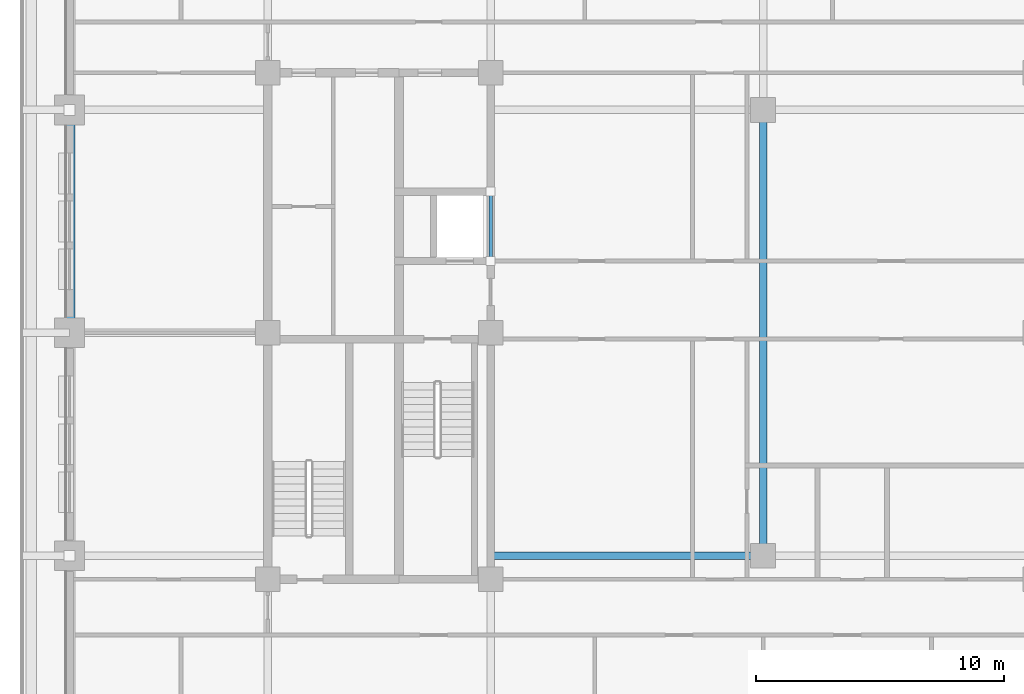
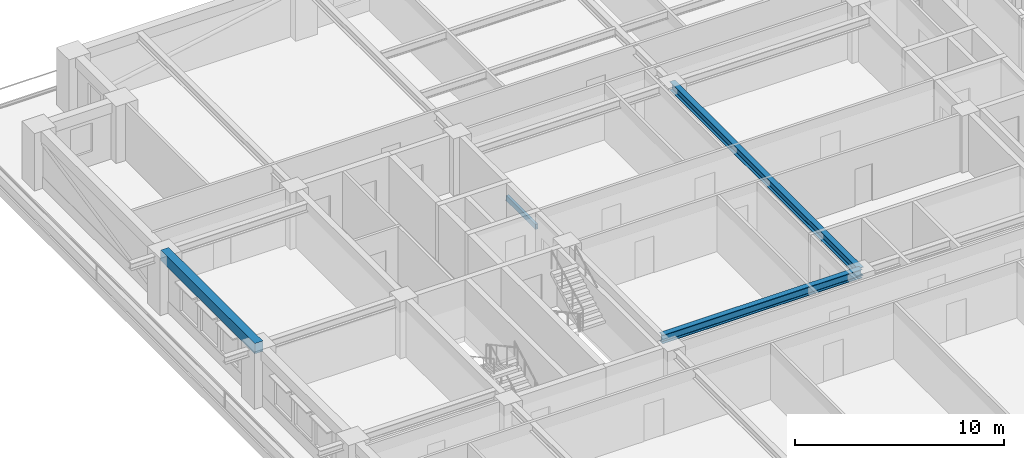
# One storey, part 3 of 20: 4 beams.
"""IFC4 building model written with IfcOpenShell, lengths in metres."""

from ifc_helpers import new_model, si_unit, direction, frame, origin, origin_2d, place, context, subcontext, project, spatial, rectangle, hollow_rectangle, i_section, extrude, material, material_profile, profile_set, type_object, element, save


model = new_model("IFC4")

# Units and contexts
model_context = context("Model", 3, precision=1e-05, world=origin(), true_north=direction((0.0, 1.0)))
body_context = subcontext(model_context, "Body", "Model", "MODEL_VIEW")
ifc_project = project(units=[si_unit("LENGTHUNIT", "METRE"), si_unit("AREAUNIT", "SQUARE_METRE"), si_unit("VOLUMEUNIT", "CUBIC_METRE"), si_unit("PLANEANGLEUNIT", "RADIAN"), si_unit("MASSUNIT", "GRAM", prefix="KILO")], contexts=[model_context])

# Site, building, storey
site_placement = place(None, origin())
site = spatial("IfcSite", under=ifc_project, at=site_placement, CompositionType="ELEMENT")
building_placement = place(site_placement, origin())
building = spatial("IfcBuilding", under=site, at=building_placement, Name="Zulmaris Gate Convention Tower", CompositionType="ELEMENT")
storey_placement = place(building_placement, frame((0.0, 0.0, 142.769775390625)))
storey = spatial("IfcBuildingStorey", under=building, at=storey_placement, Name="L36", CompositionType="ELEMENT", Elevation=142.769775390625)

# Beams
ifc_material_1 = material(Name="Steel S355", Category="steel")
ifc_material_profile_1 = material_profile(ifc_material_1, i_section(OverallWidth=0.300048828125, OverallDepth=0.5, WebThickness=0.014404296875, FlangeThickness=0.028076171875, FilletRadius=0.027099609375, at=origin_2d()), Name="HEB 500")
ifc_profile_set_1 = profile_set([ifc_material_profile_1], Name="Steel S355")
beam_type_1 = type_object("IfcBeamType", Name="BM-HEB500", PredefinedType="BEAM", material=ifc_profile_set_1)
beam_1_placement = place(storey_placement, frame((-11.0, -9.0, 3.068115234375), z_axis=(1.0, 0.0, 0.0), x_axis=(0.0, 1.0, 0.0)))
element("IfcBeam", 1, at=beam_1_placement, inside=storey, type_object=beam_type_1, Name="L36 Beam BM-L36-G01", PredefinedType="BEAM", context=body_context, shape_type="SweptSolid", body=[
    extrude(i_section(OverallWidth=0.300048828125, OverallDepth=0.5, WebThickness=0.014404296875, FlangeThickness=0.028076171875, FilletRadius=0.027099609375, at=origin_2d()), origin(), (0.0, 0.0, 1.0), 11.0),
])
beam_2_placement = place(storey_placement, frame((0.0, -9.0, 3.068115234375), z_axis=(0.0, 1.0, 0.0), x_axis=(-1.0, 0.0, 0.0)))
element("IfcBeam", 2, at=beam_2_placement, inside=storey, type_object=beam_type_1, Name="L36 Beam BM-L36-G06", PredefinedType="BEAM", context=body_context, shape_type="SweptSolid", body=[
    extrude(i_section(OverallWidth=0.300048828125, OverallDepth=0.5, WebThickness=0.014404296875, FlangeThickness=0.028076171875, FilletRadius=0.027099609375, at=origin_2d()), origin(), (0.0, 0.0, 1.0), 18.0),
])
ifc_material_2 = material(Name="Precast concrete C50/60", Category="concrete")
ifc_material_profile_2 = material_profile(ifc_material_2, rectangle(XDim=0.449951171875, YDim=0.60009765625, at=origin_2d()), Name="RC SPANDREL 450x600")
ifc_profile_set_2 = profile_set([ifc_material_profile_2], Name="Precast concrete C50/60")
beam_type_2 = type_object("IfcBeamType", Name="BM-SP450x600", PredefinedType="SPANDREL", material=ifc_profile_set_2)
beam_3_placement = place(storey_placement, frame((-28.0, 9.0, 3.02001953125), z_axis=(0.0, -1.0, 0.0), x_axis=(1.0, 0.0, 0.0)))
element("IfcBeam", 3, at=beam_3_placement, inside=storey, type_object=beam_type_2, Name="L36 Spandrel SP-L36-20", PredefinedType="SPANDREL", context=body_context, shape_type="SweptSolid", body=[
    extrude(rectangle(XDim=0.449951171875, YDim=0.60009765625, at=origin_2d()), origin(), (0.0, 0.0, 1.0), 9.0),
])
ifc_material_profile_3 = material_profile(ifc_material_1, hollow_rectangle(XDim=0.14990234375, YDim=0.300048828125, WallThickness=0.010009765625, at=origin_2d()), Name="RHS 300x150x10")
ifc_profile_set_3 = profile_set([ifc_material_profile_3], Name="Steel S355")
beam_type_3 = type_object("IfcBeamType", Name="LN-RHS300", PredefinedType="LINTEL", material=ifc_profile_set_3)
beam_4_placement = place(storey_placement, frame((-11.0, 2.89990234375, 2.35009765625), z_axis=(0.0, 1.0, 0.0), x_axis=(-1.0, 0.0, 0.0)))
element("IfcBeam", 4, at=beam_4_placement, inside=storey, type_object=beam_type_3, Name="L36 Core Opening Steel Lintel 1", PredefinedType="LINTEL", context=body_context, shape_type="SweptSolid", body=[
    extrude(hollow_rectangle(XDim=0.14990234375, YDim=0.300048828125, WallThickness=0.010009765625, at=origin_2d()), origin(), (0.0, 0.0, 1.0), 2.800048828125),
])

save(model, "model.ifc")
